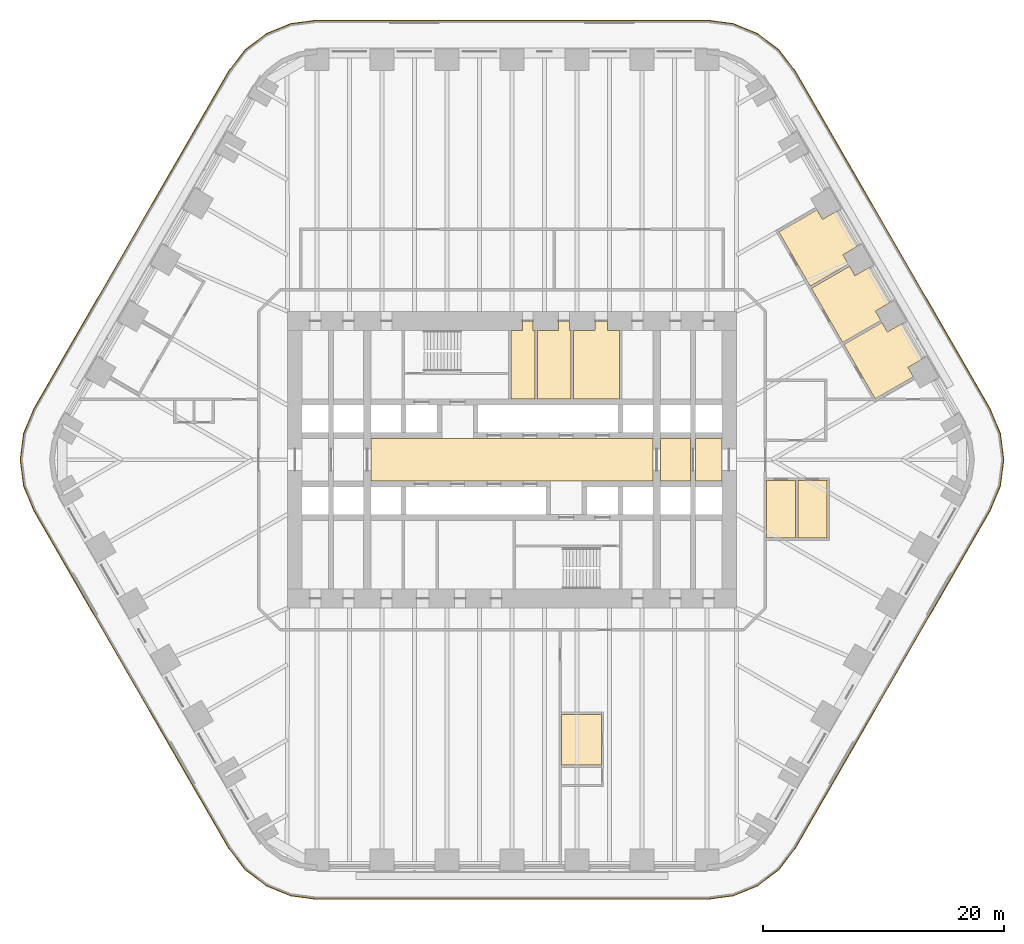
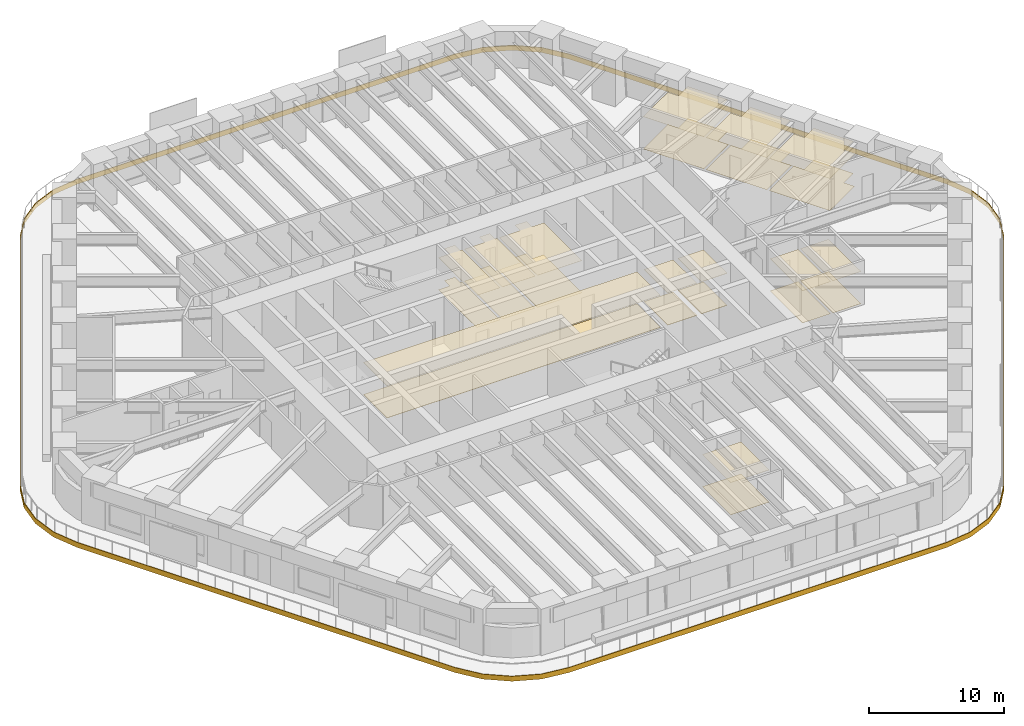
# One storey, part 22 of 23: 15 coverings.
"""IFC4 building model written with IfcOpenShell, lengths in metres."""

from ifc_helpers import new_model, si_unit, direction, frame, origin, place, context, subcontext, project, spatial, polyline, outline, extrude, material, layer, layer_set, type_object, element, save


model = new_model("IFC4")

# Units and contexts
model_context = context("Model", 3, precision=1e-05, world=origin(), true_north=direction((0.0, 1.0)))
body_context = subcontext(model_context, "Body", "Model", "MODEL_VIEW")
ifc_project = project(units=[si_unit("LENGTHUNIT", "METRE"), si_unit("AREAUNIT", "SQUARE_METRE"), si_unit("VOLUMEUNIT", "CUBIC_METRE"), si_unit("PLANEANGLEUNIT", "RADIAN"), si_unit("MASSUNIT", "GRAM", prefix="KILO")], contexts=[model_context])

# Site, building, storey
site_placement = place(None, origin())
site = spatial("IfcSite", under=ifc_project, at=site_placement, CompositionType="ELEMENT")
building_placement = place(site_placement, origin())
building = spatial("IfcBuilding", under=site, at=building_placement, Name="Tarfa Lantern Tower", CompositionType="ELEMENT")
storey_placement = place(building_placement, frame((0.0, 0.0, 44.5)))
storey = spatial("IfcBuildingStorey", under=building, at=storey_placement, Name="L09", CompositionType="ELEMENT", Elevation=44.5)

# Coverings
ifc_material_1 = material(Name="Mineral fibre acoustic tile on suspension grid", Category="finish")
ifc_layer_1 = layer(ifc_material_1, 0.02001953125)
ifc_layer_set_1 = layer_set([ifc_layer_1], Name="CL1 ACOUSTIC TILE CEILING 20")
covering_type_1 = type_object("IfcCoveringType", Name="CL1 ACOUSTIC TILE CEILING 20", PredefinedType="CEILING", material=ifc_layer_set_1)
covering_1_placement = place(storey_placement, frame((0.0, 0.0, 2.89990234375)))
element("IfcCovering", 1, at=covering_1_placement, inside=storey, type_object=covering_type_1, Name="Ceiling L09 CL1", PredefinedType="CEILING", context=body_context, shape_type="SweptSolid", body=[
    extrude(outline(polyline([(27.5126953125, 9.546630859375), (30.673583984375, 11.371826171875), (31.12353515625, 10.59228515625), (32.3359375, 11.292236328125), (34.0302734375, 8.357666015625), (32.81787109375, 7.65771484375), (33.267822265625, 6.878173828125), (30.10693359375, 5.05322265625), (27.5126953125, 9.546630859375)])), origin(), (0.0, 0.0, 1.0), 0.02001953125),
    extrude(outline(polyline([(24.818359375, 14.21337890625), (27.979248046875, 16.038330078125), (28.42919921875, 15.259033203125), (29.641845703125, 15.958984375), (31.3359375, 13.0244140625), (30.12353515625, 12.324462890625), (30.57373046875, 11.544921875), (27.41259765625, 9.719970703125), (24.818359375, 14.21337890625)])), origin(), (0.0, 0.0, 1.0), 0.02001953125),
    extrude(outline(polyline([(22.1240234375, 18.880126953125), (25.284912109375, 20.705078125), (25.735107421875, 19.925537109375), (26.947509765625, 20.625732421875), (28.641845703125, 17.69091796875), (27.42919921875, 16.990966796875), (27.87939453125, 16.211669921875), (24.71826171875, 14.38671875), (22.1240234375, 18.880126953125)])), origin(), (0.0, 0.0, 1.0), 0.02001953125),
    extrude(outline(polyline([(21.10009765625, -1.699951171875), (23.5, -1.699951171875), (23.5, -6.5), (21.10009765625, -6.5), (21.10009765625, -1.699951171875)])), origin(), (0.0, 0.0, 1.0), 0.02001953125),
    extrude(outline(polyline([(23.699951171875, -1.699951171875), (26.10009765625, -1.699951171875), (26.10009765625, -6.5), (23.699951171875, -6.5), (23.699951171875, -1.699951171875)])), origin(), (0.0, 0.0, 1.0), 0.02001953125),
    extrude(outline(polyline([(7.39990234375, -25.300048828125), (4.10009765625, -25.300048828125), (4.10009765625, -21.10009765625), (7.39990234375, -21.10009765625), (7.39990234375, -25.300048828125)])), origin(), (0.0, 0.0, 1.0), 0.02001953125),
])
ifc_material_2 = material(Name="Moisture-resistant plasterboard", Category="finish")
ifc_layer_2 = layer(ifc_material_2, 0.014892578125)
ifc_layer_set_2 = layer_set([ifc_layer_2], Name="CL2 MOISTURE-RESISTANT PLASTERBOARD CEILING 15")
covering_type_2 = type_object("IfcCoveringType", Name="CL2 MOISTURE-RESISTANT PLASTERBOARD CEILING 15", PredefinedType="CEILING", material=ifc_layer_set_2)
covering_2_placement = place(storey_placement, frame((0.0, 0.0, 2.89990234375)))
element("IfcCovering", 2, at=covering_2_placement, inside=storey, type_object=covering_type_2, Name="Ceiling L09-09", PredefinedType="CEILING", context=body_context, shape_type="SweptSolid", body=[
    extrude(outline(polyline([(0.85009765625, 10.699951171875), (-0.10009765625, 10.699951171875), (-0.10009765625, 5.050048828125), (1.89990234375, 5.050048828125), (1.89990234375, 10.699951171875), (1.75, 10.699951171875), (1.75, 11.5), (1.75, 11.5), (0.85009765625, 11.5), (0.85009765625, 10.699951171875)])), origin(), (0.0, 0.0, 1.0), 0.01513671875),
])
covering_3_placement = place(storey_placement, frame((0.0, 0.0, 2.89990234375)))
element("IfcCovering", 3, at=covering_3_placement, inside=storey, type_object=covering_type_2, Name="Ceiling L09-10", PredefinedType="CEILING", context=body_context, shape_type="SweptSolid", body=[
    extrude(outline(polyline([(2.10009765625, 5.050048828125), (4.89990234375, 5.050048828125), (4.89990234375, 10.699951171875), (4.75, 10.699951171875), (4.75, 11.5), (3.85009765625, 11.5), (3.85009765625, 10.699951171875), (2.10009765625, 10.699951171875), (2.10009765625, 5.050048828125)])), origin(), (0.0, 0.0, 1.0), 0.01513671875),
])
covering_4_placement = place(storey_placement, frame((0.0, 0.0, 2.89990234375)))
element("IfcCovering", 4, at=covering_4_placement, inside=storey, type_object=covering_type_2, Name="Ceiling L09-11", PredefinedType="CEILING", context=body_context, shape_type="SweptSolid", body=[
    extrude(outline(polyline([(5.10009765625, 5.050048828125), (8.89990234375, 5.050048828125), (8.89990234375, 10.699951171875), (7.89990234375, 10.699951171875), (7.89990234375, 11.5), (6.89990234375, 11.5), (6.89990234375, 10.699951171875), (5.10009765625, 10.699951171875), (5.10009765625, 5.050048828125)])), origin(), (0.0, 0.0, 1.0), 0.01513671875),
])
ifc_material_3 = material(Name="Powder-coated aluminium panel", Category="aluminium")
ifc_layer_3 = layer(ifc_material_3, 0.030029296875)
ifc_layer_set_3 = layer_set([ifc_layer_3], Name="CL3 METAL PANEL CEILING 30")
covering_type_3 = type_object("IfcCoveringType", Name="CL3 METAL PANEL CEILING 30", PredefinedType="CEILING", material=ifc_layer_set_3)
covering_5_placement = place(storey_placement, frame((0.0, 0.0, 2.89990234375)))
element("IfcCovering", 5, at=covering_5_placement, inside=storey, type_object=covering_type_3, Name="Ceiling L09-03", PredefinedType="CEILING", context=body_context, shape_type="SweptSolid", body=[
    extrude(outline(polyline([(-11.699951171875, -1.75), (11.699951171875, -1.75), (11.699951171875, 1.75), (-11.699951171875, 1.75), (-11.699951171875, -1.75)])), origin(), (0.0, 0.0, 1.0), 0.030029296875),
])
covering_6_placement = place(storey_placement, frame((0.0, 0.0, 2.89990234375)))
element("IfcCovering", 6, at=covering_6_placement, inside=storey, type_object=covering_type_3, Name="Ceiling L09-04", PredefinedType="CEILING", context=body_context, shape_type="SweptSolid", body=[
    extrude(outline(polyline([(12.300048828125, -1.75), (14.800048828125, -1.75), (14.800048828125, 1.75), (12.300048828125, 1.75), (12.300048828125, -1.75)])), origin(), (0.0, 0.0, 1.0), 0.030029296875),
])
covering_7_placement = place(storey_placement, frame((0.0, 0.0, 2.89990234375)))
element("IfcCovering", 7, at=covering_7_placement, inside=storey, type_object=covering_type_3, Name="Ceiling L09-05", PredefinedType="CEILING", context=body_context, shape_type="SweptSolid", body=[
    extrude(outline(polyline([(15.199951171875, -1.75), (17.39990234375, -1.75), (17.39990234375, 1.75), (15.199951171875, 1.75), (15.199951171875, -1.75)])), origin(), (0.0, 0.0, 1.0), 0.030029296875),
])
ifc_material_4 = material(Name="Nylon carpet tile", Category="finish")
ifc_layer_4 = layer(ifc_material_4, 0.010009765625)
ifc_layer_set_4 = layer_set([ifc_layer_4], Name="FL1 CARPET TILE 10")
covering_type_4 = type_object("IfcCoveringType", Name="FL1 CARPET TILE 10", PredefinedType="FLOORING", material=ifc_layer_set_4)
covering_8_placement = place(storey_placement, origin())
element("IfcCovering", 8, at=covering_8_placement, inside=storey, type_object=covering_type_4, Name="Floor finish L09 FL1", PredefinedType="FLOORING", context=body_context, shape_type="SweptSolid", body=[
    extrude(outline(polyline([(27.5126953125, 9.546630859375), (30.673583984375, 11.371826171875), (31.12353515625, 10.59228515625), (32.3359375, 11.292236328125), (34.0302734375, 8.357666015625), (32.81787109375, 7.65771484375), (33.267822265625, 6.878173828125), (30.10693359375, 5.05322265625), (27.5126953125, 9.546630859375)])), origin(), (0.0, 0.0, 1.0), 0.010009765625),
    extrude(outline(polyline([(24.818359375, 14.21337890625), (27.979248046875, 16.038330078125), (28.42919921875, 15.259033203125), (29.641845703125, 15.958984375), (31.3359375, 13.0244140625), (30.12353515625, 12.324462890625), (30.57373046875, 11.544921875), (27.41259765625, 9.719970703125), (24.818359375, 14.21337890625)])), origin(), (0.0, 0.0, 1.0), 0.010009765625),
    extrude(outline(polyline([(22.1240234375, 18.880126953125), (25.284912109375, 20.705078125), (25.735107421875, 19.925537109375), (26.947509765625, 20.625732421875), (28.641845703125, 17.69091796875), (27.42919921875, 16.990966796875), (27.87939453125, 16.211669921875), (24.71826171875, 14.38671875), (22.1240234375, 18.880126953125)])), origin(), (0.0, 0.0, 1.0), 0.010009765625),
    extrude(outline(polyline([(21.10009765625, -1.699951171875), (23.5, -1.699951171875), (23.5, -6.5), (21.10009765625, -6.5), (21.10009765625, -1.699951171875)])), origin(), (0.0, 0.0, 1.0), 0.010009765625),
    extrude(outline(polyline([(23.699951171875, -1.699951171875), (26.10009765625, -1.699951171875), (26.10009765625, -6.5), (23.699951171875, -6.5), (23.699951171875, -1.699951171875)])), origin(), (0.0, 0.0, 1.0), 0.010009765625),
    extrude(outline(polyline([(7.39990234375, -25.300048828125), (4.10009765625, -25.300048828125), (4.10009765625, -21.10009765625), (7.39990234375, -21.10009765625), (7.39990234375, -25.300048828125)])), origin(), (0.0, 0.0, 1.0), 0.010009765625),
])
ifc_material_5 = material(Name="Honed limestone flooring", Category="masonry")
ifc_layer_5 = layer(ifc_material_5, 0.030029296875)
ifc_layer_set_5 = layer_set([ifc_layer_5], Name="FL2 STONE FLOORING 30")
covering_type_5 = type_object("IfcCoveringType", Name="FL2 STONE FLOORING 30", PredefinedType="FLOORING", material=ifc_layer_set_5)
covering_9_placement = place(storey_placement, origin())
element("IfcCovering", 9, at=covering_9_placement, inside=storey, type_object=covering_type_5, Name="Floor finish L09-03", PredefinedType="FLOORING", context=body_context, shape_type="SweptSolid", body=[
    extrude(outline(polyline([(-11.699951171875, -1.75), (11.699951171875, -1.75), (11.699951171875, 1.75), (-11.699951171875, 1.75), (-11.699951171875, -1.75)])), origin(), (0.0, 0.0, 1.0), 0.030029296875),
])
covering_10_placement = place(storey_placement, origin())
element("IfcCovering", 10, at=covering_10_placement, inside=storey, type_object=covering_type_5, Name="Floor finish L09-04", PredefinedType="FLOORING", context=body_context, shape_type="SweptSolid", body=[
    extrude(outline(polyline([(12.300048828125, -1.75), (14.800048828125, -1.75), (14.800048828125, 1.75), (12.300048828125, 1.75), (12.300048828125, -1.75)])), origin(), (0.0, 0.0, 1.0), 0.030029296875),
])
covering_11_placement = place(storey_placement, origin())
element("IfcCovering", 11, at=covering_11_placement, inside=storey, type_object=covering_type_5, Name="Floor finish L09-05", PredefinedType="FLOORING", context=body_context, shape_type="SweptSolid", body=[
    extrude(outline(polyline([(15.199951171875, -1.75), (17.39990234375, -1.75), (17.39990234375, 1.75), (15.199951171875, 1.75), (15.199951171875, -1.75)])), origin(), (0.0, 0.0, 1.0), 0.030029296875),
])
ifc_material_6 = material(Name="Porcelain floor tile", Category="finish")
ifc_layer_6 = layer(ifc_material_6, 0.011962890625)
ifc_layer_set_6 = layer_set([ifc_layer_6], Name="FL3 CERAMIC TILE 12")
covering_type_6 = type_object("IfcCoveringType", Name="FL3 CERAMIC TILE 12", PredefinedType="FLOORING", material=ifc_layer_set_6)
covering_12_placement = place(storey_placement, origin())
element("IfcCovering", 12, at=covering_12_placement, inside=storey, type_object=covering_type_6, Name="Floor finish L09-09", PredefinedType="FLOORING", context=body_context, shape_type="SweptSolid", body=[
    extrude(outline(polyline([(0.85009765625, 10.699951171875), (-0.10009765625, 10.699951171875), (-0.10009765625, 5.050048828125), (1.89990234375, 5.050048828125), (1.89990234375, 10.699951171875), (1.75, 10.699951171875), (1.75, 11.5), (1.75, 11.5), (0.85009765625, 11.5), (0.85009765625, 10.699951171875)])), origin(), (0.0, 0.0, 1.0), 0.011962890625),
])
covering_13_placement = place(storey_placement, origin())
element("IfcCovering", 13, at=covering_13_placement, inside=storey, type_object=covering_type_6, Name="Floor finish L09-10", PredefinedType="FLOORING", context=body_context, shape_type="SweptSolid", body=[
    extrude(outline(polyline([(2.10009765625, 5.050048828125), (4.89990234375, 5.050048828125), (4.89990234375, 10.699951171875), (4.75, 10.699951171875), (4.75, 11.5), (3.85009765625, 11.5), (3.85009765625, 10.699951171875), (2.10009765625, 10.699951171875), (2.10009765625, 5.050048828125)])), origin(), (0.0, 0.0, 1.0), 0.011962890625),
])
covering_14_placement = place(storey_placement, origin())
element("IfcCovering", 14, at=covering_14_placement, inside=storey, type_object=covering_type_6, Name="Floor finish L09-11", PredefinedType="FLOORING", context=body_context, shape_type="SweptSolid", body=[
    extrude(outline(polyline([(5.10009765625, 5.050048828125), (8.89990234375, 5.050048828125), (8.89990234375, 10.699951171875), (7.89990234375, 10.699951171875), (7.89990234375, 11.5), (6.89990234375, 11.5), (6.89990234375, 10.699951171875), (5.10009765625, 10.699951171875), (5.10009765625, 5.050048828125)])), origin(), (0.0, 0.0, 1.0), 0.011962890625),
])
ifc_material_7 = material(Name="Limestone cladding on brackets", Category="masonry")
ifc_layer_7 = layer(ifc_material_7, 0.050048828125)
ifc_layer_set_7 = layer_set([ifc_layer_7], Name="SB1 STONE BAND CLADDING 50")
covering_type_7 = type_object("IfcCoveringType", Name="SB1 STONE BAND CLADDING 50", PredefinedType="CLADDING", material=ifc_layer_set_7)
covering_15_placement = place(storey_placement, frame((0.0, 0.0, -0.39990234375)))
element("IfcCovering", 15, at=covering_15_placement, inside=storey, type_object=covering_type_7, Name="Stone band", PredefinedType="CLADDING", context=body_context, shape_type="SweptSolid", body=[
    extrude(outline(polyline([(39.6494140625, 4.22509765625), (23.483642578125, 32.22509765625), (22.140869140625, 33.97509765625), (20.390869140625, 35.31787109375), (18.352783203125, 36.162109375), (16.165771484375, 36.449951171875), (-16.165771484375, 36.449951171875), (-18.352783203125, 36.162109375), (-20.390869140625, 35.31787109375), (-22.140869140625, 33.97509765625), (-23.483642578125, 32.22509765625), (-39.6494140625, 4.22509765625), (-40.49365234375, 2.18701171875), (-40.781494140625, 0.0), (-40.49365234375, -2.18701171875), (-39.6494140625, -4.22509765625), (-23.483642578125, -32.22509765625), (-22.140869140625, -33.97509765625), (-20.390869140625, -35.31787109375), (-18.352783203125, -36.162109375), (-16.165771484375, -36.449951171875), (16.165771484375, -36.449951171875), (18.352783203125, -36.162109375), (20.390869140625, -35.31787109375), (22.140869140625, -33.97509765625), (23.483642578125, -32.22509765625), (39.6494140625, -4.22509765625), (40.49365234375, -2.18701171875), (40.781494140625, 0.0), (40.49365234375, 2.18701171875), (39.6494140625, 4.22509765625)]), holes=[polyline([(39.606201171875, 4.199951171875), (23.4404296875, 32.199951171875), (22.10546875, 33.939697265625), (20.36572265625, 35.274658203125), (18.33984375, 36.11376953125), (16.165771484375, 36.39990234375), (-16.165771484375, 36.39990234375), (-18.33984375, 36.11376953125), (-20.36572265625, 35.274658203125), (-22.10546875, 33.939697265625), (-23.4404296875, 32.199951171875), (-39.606201171875, 4.199951171875), (-40.4453125, 2.174072265625), (-40.731689453125, 0.0), (-40.4453125, -2.174072265625), (-39.606201171875, -4.199951171875), (-23.4404296875, -32.199951171875), (-22.10546875, -33.939697265625), (-20.36572265625, -35.274658203125), (-18.33984375, -36.11376953125), (-16.165771484375, -36.39990234375), (16.165771484375, -36.39990234375), (18.33984375, -36.11376953125), (20.36572265625, -35.274658203125), (22.10546875, -33.939697265625), (23.4404296875, -32.199951171875), (39.606201171875, -4.199951171875), (40.4453125, -2.174072265625), (40.731689453125, 0.0), (40.4453125, 2.174072265625), (39.606201171875, 4.199951171875)])]), origin(), (0.0, 0.0, 1.0), 0.449951171875),
])

save(model, "model.ifc")
